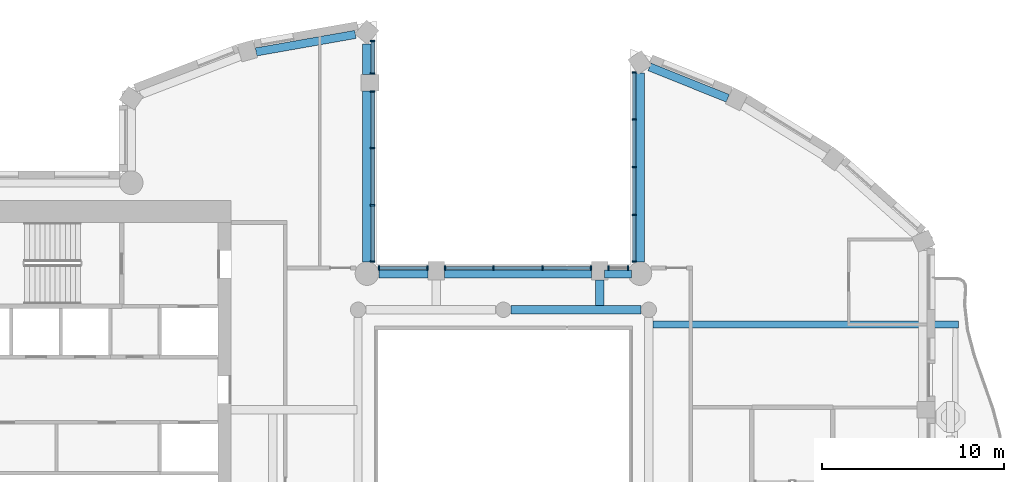
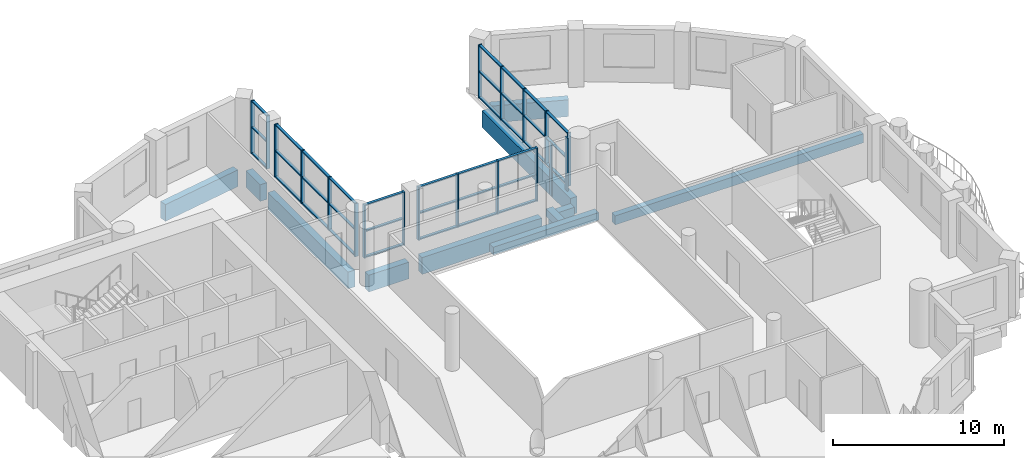
# One storey, part 2 of 14: 55 members, 11 beams, 6 elements without a shape of their own.
"""IFC4 building model written with IfcOpenShell, lengths in metres."""

from ifc_helpers import new_model, si_unit, direction, frame, origin, origin_2d, place, context, subcontext, project, spatial, rectangle, extrude, material, material_profile, profile_set, type_object, element, aggregate, save


model = new_model("IFC4")

# Units and contexts
model_context = context("Model", 3, precision=1e-05, world=origin(), true_north=direction((0.0, 1.0)))
body_context = subcontext(model_context, "Body", "Model", "MODEL_VIEW")
ifc_project = project(units=[si_unit("LENGTHUNIT", "METRE"), si_unit("AREAUNIT", "SQUARE_METRE"), si_unit("VOLUMEUNIT", "CUBIC_METRE"), si_unit("PLANEANGLEUNIT", "RADIAN"), si_unit("MASSUNIT", "GRAM", prefix="KILO")], contexts=[model_context])

# Site, building, storey
site_placement = place(None, origin())
site = spatial("IfcSite", under=ifc_project, at=site_placement, CompositionType="ELEMENT")
building_placement = place(site_placement, origin())
building = spatial("IfcBuilding", under=site, at=building_placement, Name="Cypress Arch Tower", CompositionType="ELEMENT")
storey_placement = place(building_placement, frame((0.0, 0.0, 304.89990234375)))
storey = spatial("IfcBuildingStorey", under=building, at=storey_placement, Name="L69", CompositionType="ELEMENT", Elevation=304.89990234375)

# Beams
ifc_material_1 = material(Name="Concrete C50/60", Category="concrete")
ifc_material_profile_1 = material_profile(ifc_material_1, rectangle(XDim=0.39990234375, YDim=0.64990234375, at=origin_2d()), Name="RC 400x650")
ifc_profile_set_1 = profile_set([ifc_material_profile_1], Name="Concrete C50/60")
beam_type_1 = type_object("IfcBeamType", Name="Cantilever beam RC 400x650 Concrete C50/60", PredefinedType="BEAM", material=ifc_profile_set_1)
beam_1_placement = place(storey_placement, frame((9.22509765625, 9.1826171875, -0.625), z_axis=(1.0, 0.0, 0.0), x_axis=(0.0, 1.0, 0.0)))
element("IfcBeam", 1, at=beam_1_placement, inside=storey, type_object=beam_type_1, Name="Cantilever beam L69 C17 2", PredefinedType="BEAM", context=body_context, shape_type="SweptSolid", body=[
    extrude(rectangle(XDim=0.39990234375, YDim=0.64990234375, at=origin_2d()), origin(), (0.0, 0.0, 1.0), 16.80419921875),
])
ifc_material_2 = material(Name="Concrete C50/60", Category="concrete")
ifc_material_profile_2 = material_profile(ifc_material_2, rectangle(XDim=0.449951171875, YDim=0.550048828125, at=origin_2d()), Name="RC 450x550")
ifc_profile_set_2 = profile_set([ifc_material_profile_2], Name="Concrete C50/60")
beam_type_2 = type_object("IfcBeamType", Name="Floor beam RC 450x550 Concrete C50/60", PredefinedType="BEAM", material=ifc_profile_set_2)
beam_2_placement = place(storey_placement, frame((1.425048828125, 10.0, -0.574951171875), z_axis=(1.0, 0.0, 0.0), x_axis=(0.0, 1.0, 0.0)))
element("IfcBeam", 2, at=beam_2_placement, inside=storey, type_object=beam_type_2, Name="Floor beam L69 RB008", PredefinedType="BEAM", context=body_context, shape_type="SweptSolid", body=[
    extrude(rectangle(XDim=0.449951171875, YDim=0.550048828125, at=origin_2d()), origin(), (0.0, 0.0, 1.0), 7.14990234375),
])
beam_3_placement = place(storey_placement, frame((6.300048828125, 10.22509765625, -0.574951171875), z_axis=(0.0, 1.0, 0.0), x_axis=(-1.0, 0.0, 0.0)))
element("IfcBeam", 3, at=beam_3_placement, inside=storey, type_object=beam_type_2, Name="Floor beam L69 FB013", PredefinedType="BEAM", context=body_context, shape_type="SweptSolid", body=[
    extrude(rectangle(XDim=0.449951171875, YDim=0.550048828125, at=origin_2d()), origin(), (0.0, 0.0, 1.0), 1.4248046875),
])

# Curtain wall, members
ifc_material_3 = material(Name="Anodised aluminium, bronze finish, clear laminated double glazing", Category="aluminium")
curtain_wall_type = type_object("IfcCurtainWallType", Name="Curtain wall CW7 slot glazing", PredefinedType="NOTDEFINED", material=ifc_material_3)
curtain_wall_1_placement = place(storey_placement, origin())
curtain_wall_1 = element("IfcCurtainWall", 4, at=curtain_wall_1_placement, inside=storey, type_object=curtain_wall_type, Name="Curtain wall L69 slot C00.0", PredefinedType="NOTDEFINED")
ifc_material_4 = material(Name="Anodised aluminium, bronze finish", Category="aluminium")
ifc_material_profile_3 = material_profile(ifc_material_4, rectangle(XDim=0.239990234375, YDim=0.0849609375, at=origin_2d()), Name="Mullion 85x240")
ifc_profile_set_3 = profile_set([ifc_material_profile_3], Name="Anodised aluminium, bronze finish")
member_type_1 = type_object("IfcMemberType", Name="Mullion CW7 85x240", PredefinedType="MULLION", material=ifc_profile_set_3)
member_1_placement = place(storey_placement, frame((8.199951171875, 23.060302734375, 0.0), z_axis=(0.0, 0.0, 1.0), x_axis=(1.0, 0.0, 0.0)))
member_1 = element("IfcMember", 5, at=member_1_placement, type_object=member_type_1, Name="CW7 mullion 1", PredefinedType="MULLION", context=body_context, shape_type="SweptSolid", body=[
    extrude(rectangle(XDim=0.239990234375, YDim=0.0849609375, at=origin_2d()), origin(), (0.0, 0.0, 1.0), 3.800048828125),
])
member_2_placement = place(storey_placement, frame((8.199951171875, 20.477294921875, 0.0), z_axis=(0.0, 0.0, 1.0), x_axis=(1.0, 0.0, 0.0)))
member_2 = element("IfcMember", 6, at=member_2_placement, type_object=member_type_1, Name="CW7 mullion 2", PredefinedType="MULLION", context=body_context, shape_type="SweptSolid", body=[
    extrude(rectangle(XDim=0.239990234375, YDim=0.0849609375, at=origin_2d()), origin(), (0.0, 0.0, 1.0), 3.800048828125),
])
member_3_placement = place(storey_placement, frame((8.199951171875, 17.85205078125, 0.0), z_axis=(0.0, 0.0, 1.0), x_axis=(1.0, 0.0, 0.0)))
member_3 = element("IfcMember", 7, at=member_3_placement, type_object=member_type_1, Name="CW7 mullion 3", PredefinedType="MULLION", context=body_context, shape_type="SweptSolid", body=[
    extrude(rectangle(XDim=0.239990234375, YDim=0.0849609375, at=origin_2d()), origin(), (0.0, 0.0, 1.0), 3.800048828125),
])
member_4_placement = place(storey_placement, frame((8.199951171875, 15.226806640625, 0.0), z_axis=(0.0, 0.0, 1.0), x_axis=(1.0, 0.0, 0.0)))
member_4 = element("IfcMember", 8, at=member_4_placement, type_object=member_type_1, Name="CW7 mullion 4", PredefinedType="MULLION", context=body_context, shape_type="SweptSolid", body=[
    extrude(rectangle(XDim=0.239990234375, YDim=0.0849609375, at=origin_2d()), origin(), (0.0, 0.0, 1.0), 3.800048828125),
])
member_5_placement = place(storey_placement, frame((8.199951171875, 12.64404296875, 0.0), z_axis=(0.0, 0.0, 1.0), x_axis=(1.0, 0.0, 0.0)))
member_5 = element("IfcMember", 9, at=member_5_placement, type_object=member_type_1, Name="CW7 mullion 5", PredefinedType="MULLION", context=body_context, shape_type="SweptSolid", body=[
    extrude(rectangle(XDim=0.239990234375, YDim=0.0849609375, at=origin_2d()), origin(), (0.0, 0.0, 1.0), 3.800048828125),
])

curtain_wall_2_placement = place(storey_placement, origin())
curtain_wall_2 = element("IfcCurtainWall", 10, at=curtain_wall_2_placement, inside=storey, type_object=curtain_wall_type, Name="Curtain wall L69 slot C01.0", PredefinedType="NOTDEFINED")
member_6_placement = place(storey_placement, frame((7.85595703125, 12.300048828125, 0.0), z_axis=(0.0, 0.0, 1.0), x_axis=(0.0, -1.0, 0.0)))
member_6 = element("IfcMember", 11, at=member_6_placement, type_object=member_type_1, Name="CW7 mullion 1", PredefinedType="MULLION", context=body_context, shape_type="SweptSolid", body=[
    extrude(rectangle(XDim=0.239990234375, YDim=0.0849609375, at=origin_2d()), origin(), (0.0, 0.0, 1.0), 3.800048828125),
])
member_7_placement = place(storey_placement, frame((6.79248046875, 12.300048828125, 0.0), z_axis=(0.0, 0.0, 1.0), x_axis=(0.0, -1.0, 0.0)))
member_7 = element("IfcMember", 12, at=member_7_placement, type_object=member_type_1, Name="CW7 mullion 2", PredefinedType="MULLION", context=body_context, shape_type="SweptSolid", body=[
    extrude(rectangle(XDim=0.239990234375, YDim=0.0849609375, at=origin_2d()), origin(), (0.0, 0.0, 1.0), 3.800048828125),
])
aggregate(curtain_wall_2, [member_6, member_7])

curtain_wall_3_placement = place(storey_placement, origin())
curtain_wall_3 = element("IfcCurtainWall", 13, at=curtain_wall_3_placement, inside=storey, type_object=curtain_wall_type, Name="Curtain wall L69 slot C01.1", PredefinedType="NOTDEFINED")
member_8_placement = place(storey_placement, frame((5.8076171875, 12.300048828125, 0.0), z_axis=(0.0, 0.0, 1.0), x_axis=(0.0, -1.0, 0.0)))
member_8 = element("IfcMember", 14, at=member_8_placement, type_object=member_type_1, Name="CW7 mullion 1", PredefinedType="MULLION", context=body_context, shape_type="SweptSolid", body=[
    extrude(rectangle(XDim=0.239990234375, YDim=0.0849609375, at=origin_2d()), origin(), (0.0, 0.0, 1.0), 3.800048828125),
])
member_9_placement = place(storey_placement, frame((3.14990234375, 12.300048828125, 0.0), z_axis=(0.0, 0.0, 1.0), x_axis=(0.0, -1.0, 0.0)))
member_9 = element("IfcMember", 15, at=member_9_placement, type_object=member_type_1, Name="CW7 mullion 2", PredefinedType="MULLION", context=body_context, shape_type="SweptSolid", body=[
    extrude(rectangle(XDim=0.239990234375, YDim=0.0849609375, at=origin_2d()), origin(), (0.0, 0.0, 1.0), 3.800048828125),
])
member_10_placement = place(storey_placement, frame((0.449951171875, 12.300048828125, 0.0), z_axis=(0.0, 0.0, 1.0), x_axis=(0.0, -1.0, 0.0)))
member_10 = element("IfcMember", 16, at=member_10_placement, type_object=member_type_1, Name="CW7 mullion 3", PredefinedType="MULLION", context=body_context, shape_type="SweptSolid", body=[
    extrude(rectangle(XDim=0.239990234375, YDim=0.0849609375, at=origin_2d()), origin(), (0.0, 0.0, 1.0), 3.800048828125),
])
member_11_placement = place(storey_placement, frame((-2.20751953125, 12.300048828125, 0.0), z_axis=(0.0, 0.0, 1.0), x_axis=(0.0, -1.0, 0.0)))
member_11 = element("IfcMember", 17, at=member_11_placement, type_object=member_type_1, Name="CW7 mullion 4", PredefinedType="MULLION", context=body_context, shape_type="SweptSolid", body=[
    extrude(rectangle(XDim=0.239990234375, YDim=0.0849609375, at=origin_2d()), origin(), (0.0, 0.0, 1.0), 3.800048828125),
])

curtain_wall_4_placement = place(storey_placement, origin())
curtain_wall_4 = element("IfcCurtainWall", 18, at=curtain_wall_4_placement, inside=storey, type_object=curtain_wall_type, Name="Curtain wall L69 slot C01.2", PredefinedType="NOTDEFINED")
member_12_placement = place(storey_placement, frame((-3.1923828125, 12.300048828125, 0.0), z_axis=(0.0, 0.0, 1.0), x_axis=(0.0, -1.0, 0.0)))
member_12 = element("IfcMember", 19, at=member_12_placement, type_object=member_type_1, Name="CW7 mullion 1", PredefinedType="MULLION", context=body_context, shape_type="SweptSolid", body=[
    extrude(rectangle(XDim=0.239990234375, YDim=0.0849609375, at=origin_2d()), origin(), (0.0, 0.0, 1.0), 3.800048828125),
])
member_13_placement = place(storey_placement, frame((-5.85595703125, 12.300048828125, 0.0), z_axis=(0.0, 0.0, 1.0), x_axis=(0.0, -1.0, 0.0)))
member_13 = element("IfcMember", 20, at=member_13_placement, type_object=member_type_1, Name="CW7 mullion 2", PredefinedType="MULLION", context=body_context, shape_type="SweptSolid", body=[
    extrude(rectangle(XDim=0.239990234375, YDim=0.0849609375, at=origin_2d()), origin(), (0.0, 0.0, 1.0), 3.800048828125),
])

curtain_wall_5_placement = place(storey_placement, origin())
curtain_wall_5 = element("IfcCurtainWall", 21, at=curtain_wall_5_placement, inside=storey, type_object=curtain_wall_type, Name="Curtain wall L69 slot C02.0", PredefinedType="NOTDEFINED")
member_14_placement = place(storey_placement, frame((-6.199951171875, 12.64404296875, 0.0), z_axis=(0.0, 0.0, 1.0), x_axis=(-1.0, 0.0, 0.0)))
member_14 = element("IfcMember", 22, at=member_14_placement, type_object=member_type_1, Name="CW7 mullion 1", PredefinedType="MULLION", context=body_context, shape_type="SweptSolid", body=[
    extrude(rectangle(XDim=0.239990234375, YDim=0.0849609375, at=origin_2d()), origin(), (0.0, 0.0, 1.0), 3.800048828125),
])
member_15_placement = place(storey_placement, frame((-6.199951171875, 15.7509765625, 0.0), z_axis=(0.0, 0.0, 1.0), x_axis=(-1.0, 0.0, 0.0)))
member_15 = element("IfcMember", 23, at=member_15_placement, type_object=member_type_1, Name="CW7 mullion 2", PredefinedType="MULLION", context=body_context, shape_type="SweptSolid", body=[
    extrude(rectangle(XDim=0.239990234375, YDim=0.0849609375, at=origin_2d()), origin(), (0.0, 0.0, 1.0), 3.800048828125),
])
member_16_placement = place(storey_placement, frame((-6.199951171875, 18.900390625, 0.0), z_axis=(0.0, 0.0, 1.0), x_axis=(-1.0, 0.0, 0.0)))
member_16 = element("IfcMember", 24, at=member_16_placement, type_object=member_type_1, Name="CW7 mullion 3", PredefinedType="MULLION", context=body_context, shape_type="SweptSolid", body=[
    extrude(rectangle(XDim=0.239990234375, YDim=0.0849609375, at=origin_2d()), origin(), (0.0, 0.0, 1.0), 3.800048828125),
])
member_17_placement = place(storey_placement, frame((-6.199951171875, 22.007568359375, 0.0), z_axis=(0.0, 0.0, 1.0), x_axis=(-1.0, 0.0, 0.0)))
member_17 = element("IfcMember", 25, at=member_17_placement, type_object=member_type_1, Name="CW7 mullion 4", PredefinedType="MULLION", context=body_context, shape_type="SweptSolid", body=[
    extrude(rectangle(XDim=0.239990234375, YDim=0.0849609375, at=origin_2d()), origin(), (0.0, 0.0, 1.0), 3.800048828125),
])

curtain_wall_6_placement = place(storey_placement, origin())
curtain_wall_6 = element("IfcCurtainWall", 26, at=curtain_wall_6_placement, inside=storey, type_object=curtain_wall_type, Name="Curtain wall L69 slot C02.1", PredefinedType="NOTDEFINED")
member_18_placement = place(storey_placement, frame((-6.199951171875, 22.992431640625, 0.0), z_axis=(0.0, 0.0, 1.0), x_axis=(-1.0, 0.0, 0.0)))
member_18 = element("IfcMember", 27, at=member_18_placement, type_object=member_type_1, Name="CW7 mullion 1", PredefinedType="MULLION", context=body_context, shape_type="SweptSolid", body=[
    extrude(rectangle(XDim=0.239990234375, YDim=0.0849609375, at=origin_2d()), origin(), (0.0, 0.0, 1.0), 3.800048828125),
])
member_19_placement = place(storey_placement, frame((-6.199951171875, 24.789794921875, 0.0), z_axis=(0.0, 0.0, 1.0), x_axis=(-1.0, 0.0, 0.0)))
member_19 = element("IfcMember", 28, at=member_19_placement, type_object=member_type_1, Name="CW7 mullion 2", PredefinedType="MULLION", context=body_context, shape_type="SweptSolid", body=[
    extrude(rectangle(XDim=0.239990234375, YDim=0.0849609375, at=origin_2d()), origin(), (0.0, 0.0, 1.0), 3.800048828125),
])

# Beams
ifc_material_5 = material(Name="Concrete C50/60", Category="concrete")
ifc_material_profile_4 = material_profile(ifc_material_5, rectangle(XDim=0.449951171875, YDim=1.199951171875, at=origin_2d()), Name="RC 450x1200")
ifc_profile_set_4 = profile_set([ifc_material_profile_4], Name="Concrete C50/60")
beam_type_3 = type_object("IfcBeamType", Name="Spandrel beam RC 450x1200 Concrete C50/60", PredefinedType="SPANDREL", material=ifc_profile_set_4)
beam_4_placement = place(storey_placement, frame((8.52490234375, 23.017578125, -1.5498046875), z_axis=(0.0, -1.0, 0.0), x_axis=(1.0, 0.0, 0.0)))
element("IfcBeam", 29, at=beam_4_placement, inside=storey, type_object=beam_type_3, Name="Spandrel beam L69 BC00-0", PredefinedType="SPANDREL", context=body_context, shape_type="SweptSolid", body=[
    extrude(rectangle(XDim=0.449951171875, YDim=1.199951171875, at=origin_2d()), origin(), (0.0, 0.0, 1.0), 10.380126953125),
])
beam_5_placement = place(storey_placement, frame((8.05615234375, 11.97509765625, -1.5498046875), z_axis=(-1.0, 0.0, 0.0), x_axis=(0.0, -1.0, 0.0)))
element("IfcBeam", 30, at=beam_5_placement, inside=storey, type_object=beam_type_3, Name="Spandrel beam L69 BC01-0", PredefinedType="SPANDREL", context=body_context, shape_type="SweptSolid", body=[
    extrude(rectangle(XDim=0.449951171875, YDim=1.199951171875, at=origin_2d()), origin(), (0.0, 0.0, 1.0), 1.5),
])
beam_6_placement = place(storey_placement, frame((5.85009765625, 11.97509765625, -1.5498046875), z_axis=(-1.0, 0.0, 0.0), x_axis=(0.0, -1.0, 0.0)))
element("IfcBeam", 31, at=beam_6_placement, inside=storey, type_object=beam_type_3, Name="Spandrel beam L69 BC01-1", PredefinedType="SPANDREL", context=body_context, shape_type="SweptSolid", body=[
    extrude(rectangle(XDim=0.449951171875, YDim=1.199951171875, at=origin_2d()), origin(), (0.0, 0.0, 1.0), 8.10009765625),
])
beam_7_placement = place(storey_placement, frame((-3.14990234375, 11.97509765625, -1.5498046875), z_axis=(-1.0, 0.0, 0.0), x_axis=(0.0, -1.0, 0.0)))
element("IfcBeam", 32, at=beam_7_placement, inside=storey, type_object=beam_type_3, Name="Spandrel beam L69 BC01-2", PredefinedType="SPANDREL", context=body_context, shape_type="SweptSolid", body=[
    extrude(rectangle(XDim=0.449951171875, YDim=1.199951171875, at=origin_2d()), origin(), (0.0, 0.0, 1.0), 2.712646484375),
])
beam_8_placement = place(storey_placement, frame((-6.52490234375, 12.637451171875, -1.5498046875), z_axis=(0.0, 1.0, 0.0), x_axis=(-1.0, 0.0, 0.0)))
element("IfcBeam", 33, at=beam_8_placement, inside=storey, type_object=beam_type_3, Name="Spandrel beam L69 BC02-0", PredefinedType="SPANDREL", context=body_context, shape_type="SweptSolid", body=[
    extrude(rectangle(XDim=0.449951171875, YDim=1.199951171875, at=origin_2d()), origin(), (0.0, 0.0, 1.0), 9.41259765625),
])
beam_9_placement = place(storey_placement, frame((-6.52490234375, 22.949951171875, -1.5498046875), z_axis=(0.0, 1.0, 0.0), x_axis=(-1.0, 0.0, 0.0)))
element("IfcBeam", 34, at=beam_9_placement, inside=storey, type_object=beam_type_3, Name="Spandrel beam L69 BC02-1", PredefinedType="SPANDREL", context=body_context, shape_type="SweptSolid", body=[
    extrude(rectangle(XDim=0.449951171875, YDim=1.199951171875, at=origin_2d()), origin(), (0.0, 0.0, 1.0), 1.6796875),
])
beam_10_placement = place(storey_placement, frame((-7.14990234375, 25.154052734375, -1.5498046875), z_axis=(-0.984800388539, -0.173689938494, 0.0), x_axis=(0.173689938494, -0.984800388539, 0.0)))
element("IfcBeam", 35, at=beam_10_placement, inside=storey, type_object=beam_type_3, Name="Spandrel beam L69 BC03-0", PredefinedType="SPANDREL", context=body_context, shape_type="SweptSolid", body=[
    extrude(rectangle(XDim=0.449951171875, YDim=1.199951171875, at=origin_2d()), origin(), (0.0, 0.0, 1.0), 5.5478515625),
])
beam_11_placement = place(storey_placement, frame((13.343994140625, 21.6376953125, -1.5498046875), z_axis=(-0.92793836678, 0.372733668263, 0.0), x_axis=(-0.372733668263, -0.92793836678, 0.0)))
element("IfcBeam", 36, at=beam_11_placement, inside=storey, type_object=beam_type_3, Name="Spandrel beam L69 BC20-0", PredefinedType="SPANDREL", context=body_context, shape_type="SweptSolid", body=[
    extrude(rectangle(XDim=0.449951171875, YDim=1.199951171875, at=origin_2d()), origin(), (0.0, 0.0, 1.0), 4.637451171875),
])

# Member
ifc_material_6 = material(Name="Anodised aluminium, bronze finish", Category="aluminium")
ifc_material_profile_5 = material_profile(ifc_material_6, rectangle(XDim=0.179931640625, YDim=0.0849609375, at=origin_2d()), Name="Transom 85x180")
ifc_profile_set_5 = profile_set([ifc_material_profile_5], Name="Anodised aluminium, bronze finish")
member_type_2 = type_object("IfcMemberType", Name="Transom CW7 85x180", PredefinedType="USERDEFINED", material=ifc_profile_set_5)
member_20_placement = place(storey_placement, frame((8.199951171875, 23.017578125, 0.04248046875), z_axis=(0.0, -1.0, 0.0), x_axis=(1.0, 0.0, 0.0)))
member_20 = element("IfcMember", 37, at=member_20_placement, type_object=member_type_2, Name="CW7 transom 1.1", ObjectType="TRANSOM", PredefinedType="USERDEFINED", context=body_context, shape_type="SweptSolid", body=[
    extrude(rectangle(XDim=0.179931640625, YDim=0.0849609375, at=origin_2d()), origin(), (0.0, 0.0, 1.0), 2.497802734375),
])

member_21_placement = place(storey_placement, frame((8.199951171875, 23.017578125, 1.900146484375), z_axis=(0.0, -1.0, 0.0), x_axis=(1.0, 0.0, 0.0)))
member_21 = element("IfcMember", 38, at=member_21_placement, type_object=member_type_2, Name="CW7 transom 1.2", ObjectType="TRANSOM", PredefinedType="USERDEFINED", context=body_context, shape_type="SweptSolid", body=[
    extrude(rectangle(XDim=0.179931640625, YDim=0.0849609375, at=origin_2d()), origin(), (0.0, 0.0, 1.0), 2.497802734375),
])

member_22_placement = place(storey_placement, frame((8.199951171875, 23.017578125, 3.757568359375), z_axis=(0.0, -1.0, 0.0), x_axis=(1.0, 0.0, 0.0)))
member_22 = element("IfcMember", 39, at=member_22_placement, type_object=member_type_2, Name="CW7 transom 1.3", ObjectType="TRANSOM", PredefinedType="USERDEFINED", context=body_context, shape_type="SweptSolid", body=[
    extrude(rectangle(XDim=0.179931640625, YDim=0.0849609375, at=origin_2d()), origin(), (0.0, 0.0, 1.0), 2.497802734375),
])

member_23_placement = place(storey_placement, frame((8.199951171875, 20.434814453125, 0.04248046875), z_axis=(0.0, -1.0, 0.0), x_axis=(1.0, 0.0, 0.0)))
member_23 = element("IfcMember", 40, at=member_23_placement, type_object=member_type_2, Name="CW7 transom 2.1", ObjectType="TRANSOM", PredefinedType="USERDEFINED", context=body_context, shape_type="SweptSolid", body=[
    extrude(rectangle(XDim=0.179931640625, YDim=0.0849609375, at=origin_2d()), origin(), (0.0, 0.0, 1.0), 2.540283203125),
])

member_24_placement = place(storey_placement, frame((8.199951171875, 20.434814453125, 1.900146484375), z_axis=(0.0, -1.0, 0.0), x_axis=(1.0, 0.0, 0.0)))
member_24 = element("IfcMember", 41, at=member_24_placement, type_object=member_type_2, Name="CW7 transom 2.2", ObjectType="TRANSOM", PredefinedType="USERDEFINED", context=body_context, shape_type="SweptSolid", body=[
    extrude(rectangle(XDim=0.179931640625, YDim=0.0849609375, at=origin_2d()), origin(), (0.0, 0.0, 1.0), 2.540283203125),
])

member_25_placement = place(storey_placement, frame((8.199951171875, 20.434814453125, 3.757568359375), z_axis=(0.0, -1.0, 0.0), x_axis=(1.0, 0.0, 0.0)))
member_25 = element("IfcMember", 42, at=member_25_placement, type_object=member_type_2, Name="CW7 transom 2.3", ObjectType="TRANSOM", PredefinedType="USERDEFINED", context=body_context, shape_type="SweptSolid", body=[
    extrude(rectangle(XDim=0.179931640625, YDim=0.0849609375, at=origin_2d()), origin(), (0.0, 0.0, 1.0), 2.540283203125),
])

member_26_placement = place(storey_placement, frame((8.199951171875, 17.8095703125, 0.04248046875), z_axis=(0.0, -1.0, 0.0), x_axis=(1.0, 0.0, 0.0)))
member_26 = element("IfcMember", 43, at=member_26_placement, type_object=member_type_2, Name="CW7 transom 3.1", ObjectType="TRANSOM", PredefinedType="USERDEFINED", context=body_context, shape_type="SweptSolid", body=[
    extrude(rectangle(XDim=0.179931640625, YDim=0.0849609375, at=origin_2d()), origin(), (0.0, 0.0, 1.0), 2.540283203125),
])

member_27_placement = place(storey_placement, frame((8.199951171875, 17.8095703125, 1.900146484375), z_axis=(0.0, -1.0, 0.0), x_axis=(1.0, 0.0, 0.0)))
member_27 = element("IfcMember", 44, at=member_27_placement, type_object=member_type_2, Name="CW7 transom 3.2", ObjectType="TRANSOM", PredefinedType="USERDEFINED", context=body_context, shape_type="SweptSolid", body=[
    extrude(rectangle(XDim=0.179931640625, YDim=0.0849609375, at=origin_2d()), origin(), (0.0, 0.0, 1.0), 2.540283203125),
])

member_28_placement = place(storey_placement, frame((8.199951171875, 17.8095703125, 3.757568359375), z_axis=(0.0, -1.0, 0.0), x_axis=(1.0, 0.0, 0.0)))
member_28 = element("IfcMember", 45, at=member_28_placement, type_object=member_type_2, Name="CW7 transom 3.3", ObjectType="TRANSOM", PredefinedType="USERDEFINED", context=body_context, shape_type="SweptSolid", body=[
    extrude(rectangle(XDim=0.179931640625, YDim=0.0849609375, at=origin_2d()), origin(), (0.0, 0.0, 1.0), 2.540283203125),
])

member_29_placement = place(storey_placement, frame((8.199951171875, 15.184326171875, 0.04248046875), z_axis=(0.0, -1.0, 0.0), x_axis=(1.0, 0.0, 0.0)))
member_29 = element("IfcMember", 46, at=member_29_placement, type_object=member_type_2, Name="CW7 transom 4.1", ObjectType="TRANSOM", PredefinedType="USERDEFINED", context=body_context, shape_type="SweptSolid", body=[
    extrude(rectangle(XDim=0.179931640625, YDim=0.0849609375, at=origin_2d()), origin(), (0.0, 0.0, 1.0), 2.497802734375),
])

member_30_placement = place(storey_placement, frame((8.199951171875, 15.184326171875, 1.900146484375), z_axis=(0.0, -1.0, 0.0), x_axis=(1.0, 0.0, 0.0)))
member_30 = element("IfcMember", 47, at=member_30_placement, type_object=member_type_2, Name="CW7 transom 4.2", ObjectType="TRANSOM", PredefinedType="USERDEFINED", context=body_context, shape_type="SweptSolid", body=[
    extrude(rectangle(XDim=0.179931640625, YDim=0.0849609375, at=origin_2d()), origin(), (0.0, 0.0, 1.0), 2.497802734375),
])

member_31_placement = place(storey_placement, frame((8.199951171875, 15.184326171875, 3.757568359375), z_axis=(0.0, -1.0, 0.0), x_axis=(1.0, 0.0, 0.0)))
member_31 = element("IfcMember", 48, at=member_31_placement, type_object=member_type_2, Name="CW7 transom 4.3", ObjectType="TRANSOM", PredefinedType="USERDEFINED", context=body_context, shape_type="SweptSolid", body=[
    extrude(rectangle(XDim=0.179931640625, YDim=0.0849609375, at=origin_2d()), origin(), (0.0, 0.0, 1.0), 2.497802734375),
])

aggregate(curtain_wall_1, [member_1, member_2, member_3, member_4, member_5, member_20, member_21, member_22, member_23, member_24, member_25, member_26, member_27, member_28, member_29, member_30, member_31])

member_32_placement = place(storey_placement, frame((5.764892578125, 12.300048828125, 0.04248046875), z_axis=(-1.0, 0.0, 0.0), x_axis=(0.0, -1.0, 0.0)))
member_32 = element("IfcMember", 49, at=member_32_placement, type_object=member_type_2, Name="CW7 transom 1.1", ObjectType="TRANSOM", PredefinedType="USERDEFINED", context=body_context, shape_type="SweptSolid", body=[
    extrude(rectangle(XDim=0.179931640625, YDim=0.0849609375, at=origin_2d()), origin(), (0.0, 0.0, 1.0), 2.572509765625),
])

member_33_placement = place(storey_placement, frame((5.764892578125, 12.300048828125, 1.900146484375), z_axis=(-1.0, 0.0, 0.0), x_axis=(0.0, -1.0, 0.0)))
member_33 = element("IfcMember", 50, at=member_33_placement, type_object=member_type_2, Name="CW7 transom 1.2", ObjectType="TRANSOM", PredefinedType="USERDEFINED", context=body_context, shape_type="SweptSolid", body=[
    extrude(rectangle(XDim=0.179931640625, YDim=0.0849609375, at=origin_2d()), origin(), (0.0, 0.0, 1.0), 2.572509765625),
])

member_34_placement = place(storey_placement, frame((5.764892578125, 12.300048828125, 3.757568359375), z_axis=(-1.0, 0.0, 0.0), x_axis=(0.0, -1.0, 0.0)))
member_34 = element("IfcMember", 51, at=member_34_placement, type_object=member_type_2, Name="CW7 transom 1.3", ObjectType="TRANSOM", PredefinedType="USERDEFINED", context=body_context, shape_type="SweptSolid", body=[
    extrude(rectangle(XDim=0.179931640625, YDim=0.0849609375, at=origin_2d()), origin(), (0.0, 0.0, 1.0), 2.572509765625),
])

member_35_placement = place(storey_placement, frame((3.107421875, 12.300048828125, 0.04248046875), z_axis=(-1.0, 0.0, 0.0), x_axis=(0.0, -1.0, 0.0)))
member_35 = element("IfcMember", 52, at=member_35_placement, type_object=member_type_2, Name="CW7 transom 2.1", ObjectType="TRANSOM", PredefinedType="USERDEFINED", context=body_context, shape_type="SweptSolid", body=[
    extrude(rectangle(XDim=0.179931640625, YDim=0.0849609375, at=origin_2d()), origin(), (0.0, 0.0, 1.0), 2.614990234375),
])

member_36_placement = place(storey_placement, frame((3.107421875, 12.300048828125, 1.900146484375), z_axis=(-1.0, 0.0, 0.0), x_axis=(0.0, -1.0, 0.0)))
member_36 = element("IfcMember", 53, at=member_36_placement, type_object=member_type_2, Name="CW7 transom 2.2", ObjectType="TRANSOM", PredefinedType="USERDEFINED", context=body_context, shape_type="SweptSolid", body=[
    extrude(rectangle(XDim=0.179931640625, YDim=0.0849609375, at=origin_2d()), origin(), (0.0, 0.0, 1.0), 2.614990234375),
])

member_37_placement = place(storey_placement, frame((3.107421875, 12.300048828125, 3.757568359375), z_axis=(-1.0, 0.0, 0.0), x_axis=(0.0, -1.0, 0.0)))
member_37 = element("IfcMember", 54, at=member_37_placement, type_object=member_type_2, Name="CW7 transom 2.3", ObjectType="TRANSOM", PredefinedType="USERDEFINED", context=body_context, shape_type="SweptSolid", body=[
    extrude(rectangle(XDim=0.179931640625, YDim=0.0849609375, at=origin_2d()), origin(), (0.0, 0.0, 1.0), 2.614990234375),
])

member_38_placement = place(storey_placement, frame((0.407470703125, 12.300048828125, 0.04248046875), z_axis=(-1.0, 0.0, 0.0), x_axis=(0.0, -1.0, 0.0)))
member_38 = element("IfcMember", 55, at=member_38_placement, type_object=member_type_2, Name="CW7 transom 3.1", ObjectType="TRANSOM", PredefinedType="USERDEFINED", context=body_context, shape_type="SweptSolid", body=[
    extrude(rectangle(XDim=0.179931640625, YDim=0.0849609375, at=origin_2d()), origin(), (0.0, 0.0, 1.0), 2.572509765625),
])

member_39_placement = place(storey_placement, frame((0.407470703125, 12.300048828125, 1.900146484375), z_axis=(-1.0, 0.0, 0.0), x_axis=(0.0, -1.0, 0.0)))
member_39 = element("IfcMember", 56, at=member_39_placement, type_object=member_type_2, Name="CW7 transom 3.2", ObjectType="TRANSOM", PredefinedType="USERDEFINED", context=body_context, shape_type="SweptSolid", body=[
    extrude(rectangle(XDim=0.179931640625, YDim=0.0849609375, at=origin_2d()), origin(), (0.0, 0.0, 1.0), 2.572509765625),
])

member_40_placement = place(storey_placement, frame((0.407470703125, 12.300048828125, 3.757568359375), z_axis=(-1.0, 0.0, 0.0), x_axis=(0.0, -1.0, 0.0)))
member_40 = element("IfcMember", 57, at=member_40_placement, type_object=member_type_2, Name="CW7 transom 3.3", ObjectType="TRANSOM", PredefinedType="USERDEFINED", context=body_context, shape_type="SweptSolid", body=[
    extrude(rectangle(XDim=0.179931640625, YDim=0.0849609375, at=origin_2d()), origin(), (0.0, 0.0, 1.0), 2.572509765625),
])

aggregate(curtain_wall_3, [member_8, member_9, member_10, member_11, member_32, member_33, member_34, member_35, member_36, member_37, member_38, member_39, member_40])

member_41_placement = place(storey_placement, frame((-3.235107421875, 12.300048828125, 0.04248046875), z_axis=(-1.0, 0.0, 0.0), x_axis=(0.0, -1.0, 0.0)))
member_41 = element("IfcMember", 58, at=member_41_placement, type_object=member_type_2, Name="CW7 transom 1.1", ObjectType="TRANSOM", PredefinedType="USERDEFINED", context=body_context, shape_type="SweptSolid", body=[
    extrude(rectangle(XDim=0.179931640625, YDim=0.0849609375, at=origin_2d()), origin(), (0.0, 0.0, 1.0), 2.578369140625),
])

member_42_placement = place(storey_placement, frame((-3.235107421875, 12.300048828125, 1.900146484375), z_axis=(-1.0, 0.0, 0.0), x_axis=(0.0, -1.0, 0.0)))
member_42 = element("IfcMember", 59, at=member_42_placement, type_object=member_type_2, Name="CW7 transom 1.2", ObjectType="TRANSOM", PredefinedType="USERDEFINED", context=body_context, shape_type="SweptSolid", body=[
    extrude(rectangle(XDim=0.179931640625, YDim=0.0849609375, at=origin_2d()), origin(), (0.0, 0.0, 1.0), 2.578369140625),
])

member_43_placement = place(storey_placement, frame((-3.235107421875, 12.300048828125, 3.757568359375), z_axis=(-1.0, 0.0, 0.0), x_axis=(0.0, -1.0, 0.0)))
member_43 = element("IfcMember", 60, at=member_43_placement, type_object=member_type_2, Name="CW7 transom 1.3", ObjectType="TRANSOM", PredefinedType="USERDEFINED", context=body_context, shape_type="SweptSolid", body=[
    extrude(rectangle(XDim=0.179931640625, YDim=0.0849609375, at=origin_2d()), origin(), (0.0, 0.0, 1.0), 2.578369140625),
])

aggregate(curtain_wall_4, [member_12, member_13, member_41, member_42, member_43])

member_44_placement = place(storey_placement, frame((-6.199951171875, 12.6865234375, 0.04248046875), z_axis=(0.0, 1.0, 0.0), x_axis=(-1.0, 0.0, 0.0)))
member_44 = element("IfcMember", 61, at=member_44_placement, type_object=member_type_2, Name="CW7 transom 1.1", ObjectType="TRANSOM", PredefinedType="USERDEFINED", context=body_context, shape_type="SweptSolid", body=[
    extrude(rectangle(XDim=0.179931640625, YDim=0.0849609375, at=origin_2d()), origin(), (0.0, 0.0, 1.0), 3.02197265625),
])

member_45_placement = place(storey_placement, frame((-6.199951171875, 12.6865234375, 1.900146484375), z_axis=(0.0, 1.0, 0.0), x_axis=(-1.0, 0.0, 0.0)))
member_45 = element("IfcMember", 62, at=member_45_placement, type_object=member_type_2, Name="CW7 transom 1.2", ObjectType="TRANSOM", PredefinedType="USERDEFINED", context=body_context, shape_type="SweptSolid", body=[
    extrude(rectangle(XDim=0.179931640625, YDim=0.0849609375, at=origin_2d()), origin(), (0.0, 0.0, 1.0), 3.02197265625),
])

member_46_placement = place(storey_placement, frame((-6.199951171875, 12.6865234375, 3.757568359375), z_axis=(0.0, 1.0, 0.0), x_axis=(-1.0, 0.0, 0.0)))
member_46 = element("IfcMember", 63, at=member_46_placement, type_object=member_type_2, Name="CW7 transom 1.3", ObjectType="TRANSOM", PredefinedType="USERDEFINED", context=body_context, shape_type="SweptSolid", body=[
    extrude(rectangle(XDim=0.179931640625, YDim=0.0849609375, at=origin_2d()), origin(), (0.0, 0.0, 1.0), 3.02197265625),
])

member_47_placement = place(storey_placement, frame((-6.199951171875, 15.79345703125, 0.04248046875), z_axis=(0.0, 1.0, 0.0), x_axis=(-1.0, 0.0, 0.0)))
member_47 = element("IfcMember", 64, at=member_47_placement, type_object=member_type_2, Name="CW7 transom 2.1", ObjectType="TRANSOM", PredefinedType="USERDEFINED", context=body_context, shape_type="SweptSolid", body=[
    extrude(rectangle(XDim=0.179931640625, YDim=0.0849609375, at=origin_2d()), origin(), (0.0, 0.0, 1.0), 3.064453125),
])

member_48_placement = place(storey_placement, frame((-6.199951171875, 15.79345703125, 1.900146484375), z_axis=(0.0, 1.0, 0.0), x_axis=(-1.0, 0.0, 0.0)))
member_48 = element("IfcMember", 65, at=member_48_placement, type_object=member_type_2, Name="CW7 transom 2.2", ObjectType="TRANSOM", PredefinedType="USERDEFINED", context=body_context, shape_type="SweptSolid", body=[
    extrude(rectangle(XDim=0.179931640625, YDim=0.0849609375, at=origin_2d()), origin(), (0.0, 0.0, 1.0), 3.064453125),
])

member_49_placement = place(storey_placement, frame((-6.199951171875, 15.79345703125, 3.757568359375), z_axis=(0.0, 1.0, 0.0), x_axis=(-1.0, 0.0, 0.0)))
member_49 = element("IfcMember", 66, at=member_49_placement, type_object=member_type_2, Name="CW7 transom 2.3", ObjectType="TRANSOM", PredefinedType="USERDEFINED", context=body_context, shape_type="SweptSolid", body=[
    extrude(rectangle(XDim=0.179931640625, YDim=0.0849609375, at=origin_2d()), origin(), (0.0, 0.0, 1.0), 3.064453125),
])

member_50_placement = place(storey_placement, frame((-6.199951171875, 18.943115234375, 0.04248046875), z_axis=(0.0, 1.0, 0.0), x_axis=(-1.0, 0.0, 0.0)))
member_50 = element("IfcMember", 67, at=member_50_placement, type_object=member_type_2, Name="CW7 transom 3.1", ObjectType="TRANSOM", PredefinedType="USERDEFINED", context=body_context, shape_type="SweptSolid", body=[
    extrude(rectangle(XDim=0.179931640625, YDim=0.0849609375, at=origin_2d()), origin(), (0.0, 0.0, 1.0), 3.02197265625),
])

member_51_placement = place(storey_placement, frame((-6.199951171875, 18.943115234375, 1.900146484375), z_axis=(0.0, 1.0, 0.0), x_axis=(-1.0, 0.0, 0.0)))
member_51 = element("IfcMember", 68, at=member_51_placement, type_object=member_type_2, Name="CW7 transom 3.2", ObjectType="TRANSOM", PredefinedType="USERDEFINED", context=body_context, shape_type="SweptSolid", body=[
    extrude(rectangle(XDim=0.179931640625, YDim=0.0849609375, at=origin_2d()), origin(), (0.0, 0.0, 1.0), 3.02197265625),
])

member_52_placement = place(storey_placement, frame((-6.199951171875, 18.943115234375, 3.757568359375), z_axis=(0.0, 1.0, 0.0), x_axis=(-1.0, 0.0, 0.0)))
member_52 = element("IfcMember", 69, at=member_52_placement, type_object=member_type_2, Name="CW7 transom 3.3", ObjectType="TRANSOM", PredefinedType="USERDEFINED", context=body_context, shape_type="SweptSolid", body=[
    extrude(rectangle(XDim=0.179931640625, YDim=0.0849609375, at=origin_2d()), origin(), (0.0, 0.0, 1.0), 3.02197265625),
])

aggregate(curtain_wall_5, [member_14, member_15, member_16, member_17, member_44, member_45, member_46, member_47, member_48, member_49, member_50, member_51, member_52])

member_53_placement = place(storey_placement, frame((-6.199951171875, 23.034912109375, 0.04248046875), z_axis=(0.0, 1.0, 0.0), x_axis=(-1.0, 0.0, 0.0)))
member_53 = element("IfcMember", 70, at=member_53_placement, type_object=member_type_2, Name="CW7 transom 1.1", ObjectType="TRANSOM", PredefinedType="USERDEFINED", context=body_context, shape_type="SweptSolid", body=[
    extrude(rectangle(XDim=0.179931640625, YDim=0.0849609375, at=origin_2d()), origin(), (0.0, 0.0, 1.0), 1.71240234375),
])

member_54_placement = place(storey_placement, frame((-6.199951171875, 23.034912109375, 1.900146484375), z_axis=(0.0, 1.0, 0.0), x_axis=(-1.0, 0.0, 0.0)))
member_54 = element("IfcMember", 71, at=member_54_placement, type_object=member_type_2, Name="CW7 transom 1.2", ObjectType="TRANSOM", PredefinedType="USERDEFINED", context=body_context, shape_type="SweptSolid", body=[
    extrude(rectangle(XDim=0.179931640625, YDim=0.0849609375, at=origin_2d()), origin(), (0.0, 0.0, 1.0), 1.71240234375),
])

member_55_placement = place(storey_placement, frame((-6.199951171875, 23.034912109375, 3.757568359375), z_axis=(0.0, 1.0, 0.0), x_axis=(-1.0, 0.0, 0.0)))
member_55 = element("IfcMember", 72, at=member_55_placement, type_object=member_type_2, Name="CW7 transom 1.3", ObjectType="TRANSOM", PredefinedType="USERDEFINED", context=body_context, shape_type="SweptSolid", body=[
    extrude(rectangle(XDim=0.179931640625, YDim=0.0849609375, at=origin_2d()), origin(), (0.0, 0.0, 1.0), 1.71240234375),
])

aggregate(curtain_wall_6, [member_18, member_19, member_53, member_54, member_55])

save(model, "model.ifc")
